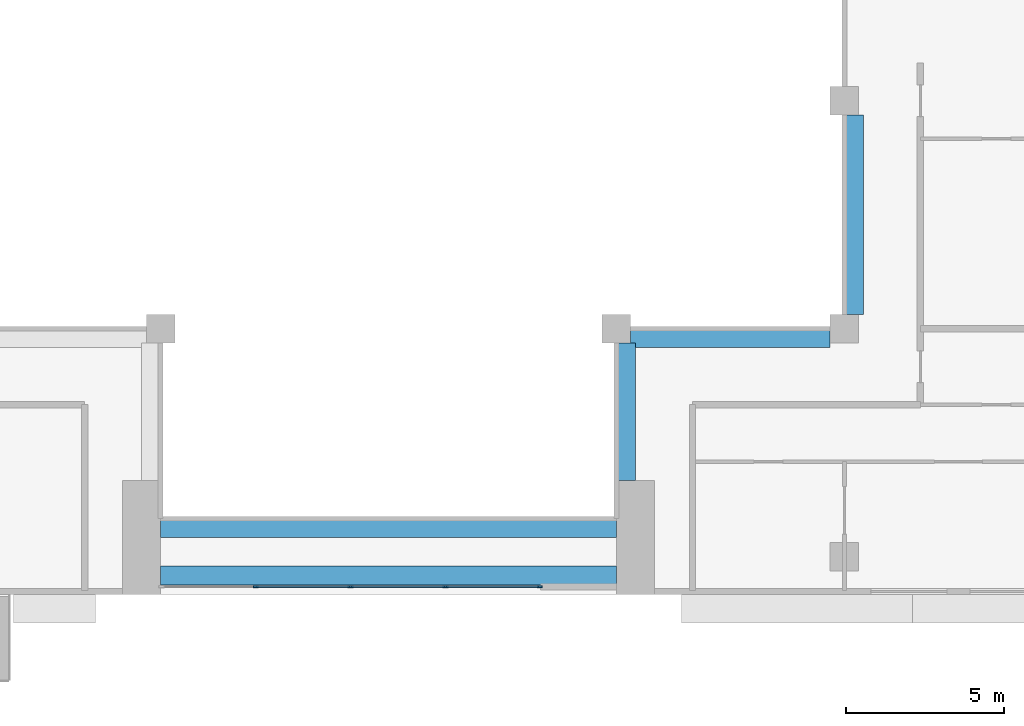
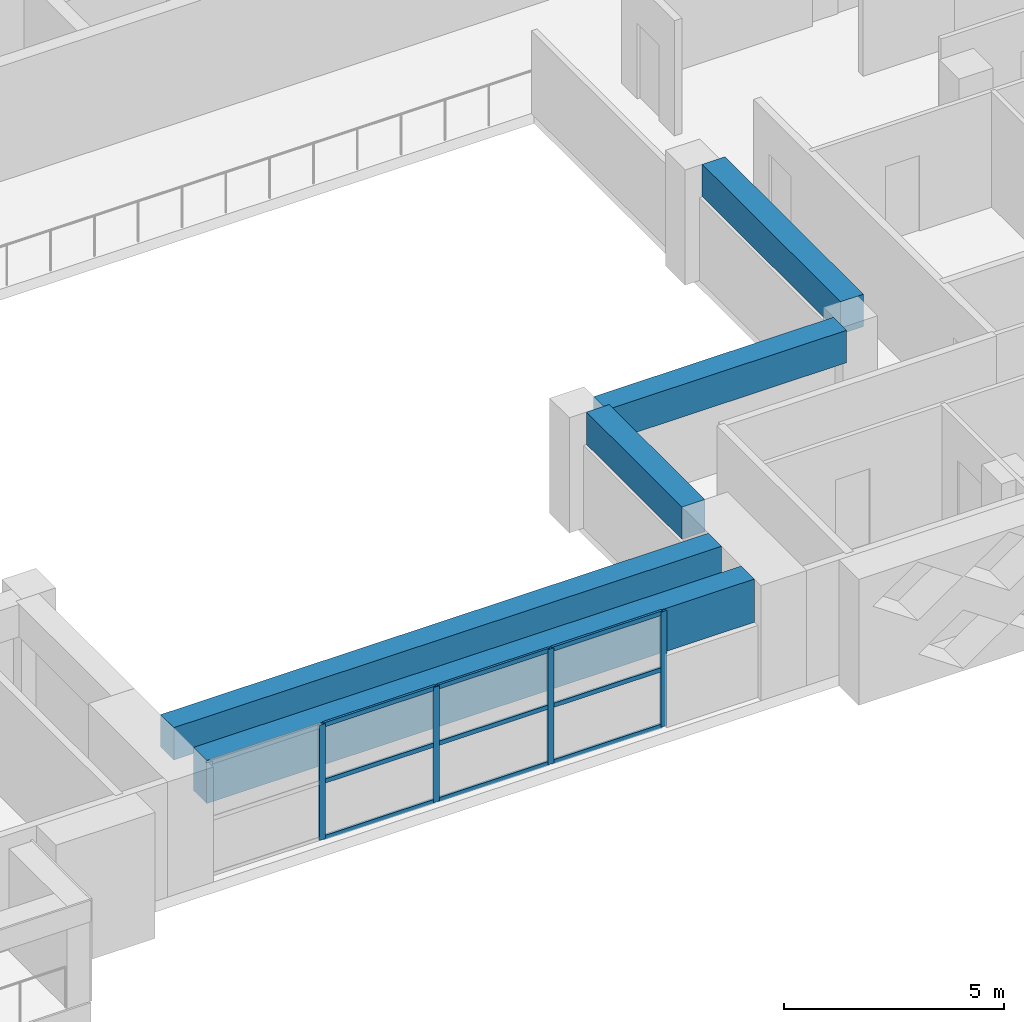
# One storey, part 4 of 20: 13 members, 5 beams, 1 element without a shape of its own.
"""IFC4 building model written with IfcOpenShell, lengths in metres."""

from ifc_helpers import new_model, si_unit, direction, frame, origin, origin_2d, place, context, subcontext, project, spatial, rectangle, extrude, source, transform, mapped, material, layer, layer_set, material_profile, profile_set, type_object, element, aggregate, save


model = new_model("IFC4")

# Units and contexts
model_context = context("Model", 3, precision=1e-05, world=origin(), true_north=direction((0.0, 1.0)))
body_context = subcontext(model_context, "Body", "Model", "MODEL_VIEW")
ifc_project = project(units=[si_unit("LENGTHUNIT", "METRE"), si_unit("AREAUNIT", "SQUARE_METRE"), si_unit("VOLUMEUNIT", "CUBIC_METRE"), si_unit("PLANEANGLEUNIT", "RADIAN"), si_unit("MASSUNIT", "GRAM", prefix="KILO")], contexts=[model_context])

# Site, building, storey
site_placement = place(None, origin())
site = spatial("IfcSite", under=ifc_project, at=site_placement, CompositionType="ELEMENT")
building_placement = place(site_placement, origin())
building = spatial("IfcBuilding", under=site, at=building_placement, Name="Saffron Iwan Residences", CompositionType="ELEMENT")
storey_placement = place(building_placement, frame((0.0, 0.0, 195.5)))
storey = spatial("IfcBuildingStorey", under=building, at=storey_placement, Name="L52", CompositionType="ELEMENT", Elevation=195.5)

# Beams
ifc_material_1 = material(Name="Concrete C50/60", Category="concrete")
ifc_material_profile_1 = material_profile(ifc_material_1, rectangle(XDim=0.60009765625, YDim=1.199951171875, at=origin_2d()), Name="RC 600x1200")
ifc_profile_set_1 = profile_set([ifc_material_profile_1], Name="Concrete C50/60")
beam_type_1 = type_object("IfcBeamType", Name="LINTEL BEAM RC 600x1200 C50/60 TOP 3200", PredefinedType="LINTEL", material=ifc_profile_set_1)
shared_shape_1 = source(origin(), body_context, "Body", "SweptSolid", [
    extrude(rectangle(XDim=0.60009765625, YDim=1.199951171875, at=origin_2d()), origin(), (0.0, 0.0, 1.0), 14.400146484375),
])
beam_1_placement = place(storey_placement, frame((57.60009765625, 40.199951171875, 2.60009765625), z_axis=(-1.0, 0.0, 0.0), x_axis=(0.0, -1.0, 0.0)))
element("IfcBeam", 1, at=beam_1_placement, inside=storey, type_object=beam_type_1, Name="Lintel beam over the iwan", PredefinedType="LINTEL", context=body_context, shape_type="MappedRepresentation", body=[
    mapped(shared_shape_1, transform((0.0, 0.0, 0.0))),
])
ifc_material_profile_2 = material_profile(ifc_material_1, rectangle(XDim=0.60009765625, YDim=0.89990234375, at=origin_2d()), Name="RC 600x900")
ifc_profile_set_2 = profile_set([ifc_material_profile_2], Name="Concrete C50/60")
beam_type_2 = type_object("IfcBeamType", Name="BEAM RC 600x900 C50/60 TOP 3200", PredefinedType="BEAM", material=ifc_profile_set_2)
shared_shape_2 = source(origin(), body_context, "Body", "SweptSolid", [
    extrude(rectangle(XDim=0.60009765625, YDim=0.89990234375, at=origin_2d()), origin(), (0.0, 0.0, 1.0), 14.400146484375),
])
beam_2_placement = place(storey_placement, frame((57.60009765625, 41.699951171875, 2.75), z_axis=(-1.0, 0.0, 0.0), x_axis=(0.0, -1.0, 0.0)))
element("IfcBeam", 2, at=beam_2_placement, inside=storey, type_object=beam_type_2, Name="Atrium edge beam", PredefinedType="BEAM", context=body_context, shape_type="MappedRepresentation", body=[
    mapped(shared_shape_2, transform((0.0, 0.0, 0.0))),
])
shared_shape_3 = source(origin(), body_context, "Body", "SweptSolid", [
    extrude(rectangle(XDim=0.60009765625, YDim=0.89990234375, at=origin_2d()), origin(), (0.0, 0.0, 1.0), 4.35009765625),
])
beam_3_placement = place(storey_placement, frame((57.89990234375, 47.550048828125, 2.75), z_axis=(0.0, -1.0, 0.0), x_axis=(1.0, 0.0, 0.0)))
element("IfcBeam", 3, at=beam_3_placement, inside=storey, type_object=beam_type_2, Name="Atrium edge beam", PredefinedType="BEAM", context=body_context, shape_type="MappedRepresentation", body=[
    mapped(shared_shape_3, transform((0.0, 0.0, 0.0))),
])
shared_shape_4 = source(origin(), body_context, "Body", "SweptSolid", [
    extrude(rectangle(XDim=0.60009765625, YDim=0.89990234375, at=origin_2d()), origin(), (0.0, 0.0, 1.0), 6.300048828125),
])
for number, where, z_axis, x_axis, name in (
    (4, (64.35009765625, 47.699951171875, 2.75), (-1.0, 0.0, 0.0), (0.0, -1.0, 0.0), "Atrium edge beam"),
    (5, (65.10009765625, 54.75, 2.75), (0.0, -1.0, 0.0), (1.0, 0.0, 0.0), "Atrium edge beam"),
):
    element("IfcBeam", number, at=place(storey_placement, frame(where, z_axis=z_axis, x_axis=x_axis)), inside=storey, type_object=beam_type_2, Name=name, PredefinedType="BEAM", context=body_context, shape_type="MappedRepresentation", body=[
        mapped(shared_shape_4, transform((0.0, 0.0, 0.0))),
    ])

# Curtain wall, members
ifc_material_2 = material(Name="Clear glass, laminated double glazed", Category="glass")
ifc_layer = layer(ifc_material_2, 0.199951171875)
ifc_layer_set = layer_set([ifc_layer], Name="Clear glass, laminated double glazed")
curtain_wall_type = type_object("IfcCurtainWallType", Name="CW-B IWAN PORTAL", PredefinedType="NOTDEFINED", material=ifc_layer_set)
curtain_wall_placement = place(storey_placement, origin())
curtain_wall = element("IfcCurtainWall", 6, at=curtain_wall_placement, inside=storey, type_object=curtain_wall_type, Name="Iwan portal glazing L52.1", PredefinedType="NOTDEFINED")
ifc_material_3 = material(Name="Aluminium 6063-T6", Category="aluminium")
ifc_material_profile_3 = material_profile(ifc_material_3, rectangle(XDim=0.06005859375, YDim=0.1201171875, at=origin_2d()), Name="CW-B TRANSOM 60 x 120")
ifc_profile_set_3 = profile_set([ifc_material_profile_3], Name="Aluminium 6063-T6")
member_type_1 = type_object("IfcMemberType", Name="CW-B TRANSOM 60 x 120", PredefinedType="USERDEFINED", material=ifc_profile_set_3)
shared_shape_5 = source(origin(), body_context, "Body", "SweptSolid", [
    extrude(rectangle(XDim=0.06005859375, YDim=0.1201171875, at=origin_2d()), origin(), (0.0, 0.0, 1.0), 2.909912109375),
])
member_1_placement = place(storey_placement, frame((52.22998046875, 39.85009765625, 0.030029296875), z_axis=(1.0, 0.0, 0.0), x_axis=(0.0, 1.0, 0.0)))
member_1 = element("IfcMember", 7, at=member_1_placement, type_object=member_type_1, Name="CW-B transom 4.1", ObjectType="TRANSOM", PredefinedType="USERDEFINED", context=body_context, shape_type="MappedRepresentation", body=[
    mapped(shared_shape_5, transform((0.0, 0.0, 0.0))),
])
member_2_placement = place(storey_placement, frame((52.22998046875, 39.85009765625, 1.60009765625), z_axis=(1.0, 0.0, 0.0), x_axis=(0.0, 1.0, 0.0)))
member_2 = element("IfcMember", 8, at=member_2_placement, type_object=member_type_1, Name="CW-B transom 4.2", ObjectType="TRANSOM", PredefinedType="USERDEFINED", context=body_context, shape_type="MappedRepresentation", body=[
    mapped(shared_shape_5, transform((0.0, 0.0, 0.0))),
])
member_3_placement = place(storey_placement, frame((52.22998046875, 39.85009765625, 3.169921875), z_axis=(1.0, 0.0, 0.0), x_axis=(0.0, 1.0, 0.0)))
member_3 = element("IfcMember", 9, at=member_3_placement, type_object=member_type_1, Name="CW-B transom 4.3", ObjectType="TRANSOM", PredefinedType="USERDEFINED", context=body_context, shape_type="MappedRepresentation", body=[
    mapped(shared_shape_5, transform((0.0, 0.0, 0.0))),
])
shared_shape_6 = source(origin(), body_context, "Body", "SweptSolid", [
    extrude(rectangle(XDim=0.06005859375, YDim=0.1201171875, at=origin_2d()), origin(), (0.0, 0.0, 1.0), 2.93994140625),
])
member_4_placement = place(storey_placement, frame((46.22998046875, 39.85009765625, 0.030029296875), z_axis=(1.0, 0.0, 0.0), x_axis=(0.0, 1.0, 0.0)))
member_4 = element("IfcMember", 10, at=member_4_placement, type_object=member_type_1, Name="CW-B transom 2.1", ObjectType="TRANSOM", PredefinedType="USERDEFINED", context=body_context, shape_type="MappedRepresentation", body=[
    mapped(shared_shape_6, transform((0.0, 0.0, 0.0))),
])
member_5_placement = place(storey_placement, frame((46.22998046875, 39.85009765625, 1.60009765625), z_axis=(1.0, 0.0, 0.0), x_axis=(0.0, 1.0, 0.0)))
member_5 = element("IfcMember", 11, at=member_5_placement, type_object=member_type_1, Name="CW-B transom 2.2", ObjectType="TRANSOM", PredefinedType="USERDEFINED", context=body_context, shape_type="MappedRepresentation", body=[
    mapped(shared_shape_6, transform((0.0, 0.0, 0.0))),
])
member_6_placement = place(storey_placement, frame((46.22998046875, 39.85009765625, 3.169921875), z_axis=(1.0, 0.0, 0.0), x_axis=(0.0, 1.0, 0.0)))
member_6 = element("IfcMember", 12, at=member_6_placement, type_object=member_type_1, Name="CW-B transom 2.3", ObjectType="TRANSOM", PredefinedType="USERDEFINED", context=body_context, shape_type="MappedRepresentation", body=[
    mapped(shared_shape_6, transform((0.0, 0.0, 0.0))),
])
member_7_placement = place(storey_placement, frame((49.22998046875, 39.85009765625, 0.030029296875), z_axis=(1.0, 0.0, 0.0), x_axis=(0.0, 1.0, 0.0)))
member_7 = element("IfcMember", 13, at=member_7_placement, type_object=member_type_1, Name="CW-B transom 3.1", ObjectType="TRANSOM", PredefinedType="USERDEFINED", context=body_context, shape_type="MappedRepresentation", body=[
    mapped(shared_shape_6, transform((0.0, 0.0, 0.0))),
])
member_8_placement = place(storey_placement, frame((49.22998046875, 39.85009765625, 1.60009765625), z_axis=(1.0, 0.0, 0.0), x_axis=(0.0, 1.0, 0.0)))
member_8 = element("IfcMember", 14, at=member_8_placement, type_object=member_type_1, Name="CW-B transom 3.2", ObjectType="TRANSOM", PredefinedType="USERDEFINED", context=body_context, shape_type="MappedRepresentation", body=[
    mapped(shared_shape_6, transform((0.0, 0.0, 0.0))),
])
member_9_placement = place(storey_placement, frame((49.22998046875, 39.85009765625, 3.169921875), z_axis=(1.0, 0.0, 0.0), x_axis=(0.0, 1.0, 0.0)))
member_9 = element("IfcMember", 15, at=member_9_placement, type_object=member_type_1, Name="CW-B transom 3.3", ObjectType="TRANSOM", PredefinedType="USERDEFINED", context=body_context, shape_type="MappedRepresentation", body=[
    mapped(shared_shape_6, transform((0.0, 0.0, 0.0))),
])
ifc_material_profile_4 = material_profile(ifc_material_3, rectangle(XDim=0.06005859375, YDim=0.159912109375, at=origin_2d()), Name="CW-B MULLION 60 x 160")
ifc_profile_set_4 = profile_set([ifc_material_profile_4], Name="Aluminium 6063-T6")
member_type_2 = type_object("IfcMemberType", Name="CW-B MULLION 60 x 160", PredefinedType="MULLION", material=ifc_profile_set_4)
shared_shape_7 = source(origin(), body_context, "Body", "SweptSolid", [
    extrude(rectangle(XDim=0.06005859375, YDim=0.159912109375, at=origin_2d()), origin(), (0.0, 0.0, 1.0), 3.199951171875),
])
member_10_placement = place(storey_placement, frame((46.199951171875, 39.85009765625, 0.0), z_axis=(0.0, 0.0, 1.0), x_axis=(0.0, 1.0, 0.0)))
member_10 = element("IfcMember", 16, at=member_10_placement, type_object=member_type_2, Name="CW-B mullion 2", PredefinedType="MULLION", context=body_context, shape_type="MappedRepresentation", body=[
    mapped(shared_shape_7, transform((0.0, 0.0, 0.0))),
])
member_11_placement = place(storey_placement, frame((49.199951171875, 39.85009765625, 0.0), z_axis=(0.0, 0.0, 1.0), x_axis=(0.0, 1.0, 0.0)))
member_11 = element("IfcMember", 17, at=member_11_placement, type_object=member_type_2, Name="CW-B mullion 3", PredefinedType="MULLION", context=body_context, shape_type="MappedRepresentation", body=[
    mapped(shared_shape_7, transform((0.0, 0.0, 0.0))),
])
member_12_placement = place(storey_placement, frame((52.199951171875, 39.85009765625, 0.0), z_axis=(0.0, 0.0, 1.0), x_axis=(0.0, 1.0, 0.0)))
member_12 = element("IfcMember", 18, at=member_12_placement, type_object=member_type_2, Name="CW-B mullion 4", PredefinedType="MULLION", context=body_context, shape_type="MappedRepresentation", body=[
    mapped(shared_shape_7, transform((0.0, 0.0, 0.0))),
])
member_13_placement = place(storey_placement, frame((55.169921875, 39.85009765625, 0.0), z_axis=(0.0, 0.0, 1.0), x_axis=(0.0, 1.0, 0.0)))
member_13 = element("IfcMember", 19, at=member_13_placement, type_object=member_type_2, Name="CW-B mullion 5", PredefinedType="MULLION", context=body_context, shape_type="MappedRepresentation", body=[
    mapped(shared_shape_7, transform((0.0, 0.0, 0.0))),
])
aggregate(curtain_wall, [member_10, member_11, member_12, member_13, member_4, member_5, member_6, member_7, member_8, member_9, member_1, member_2, member_3])

save(model, "model.ifc")
